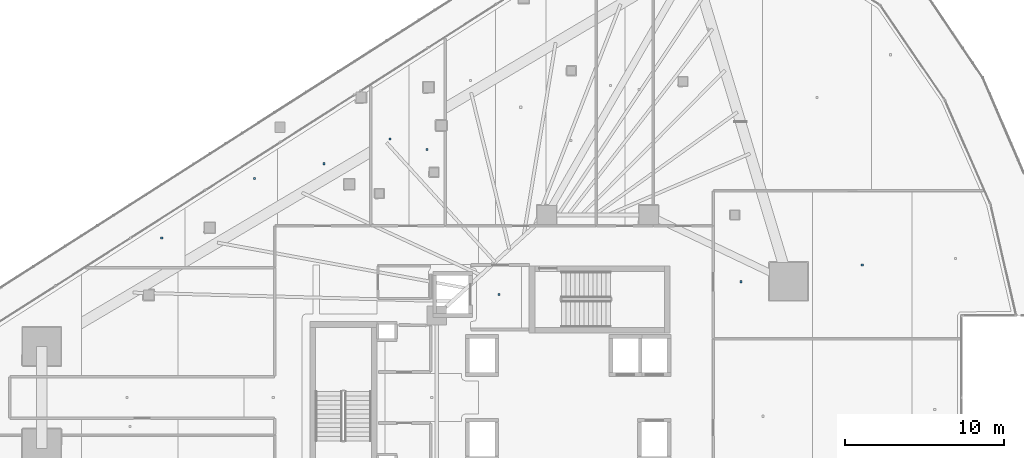
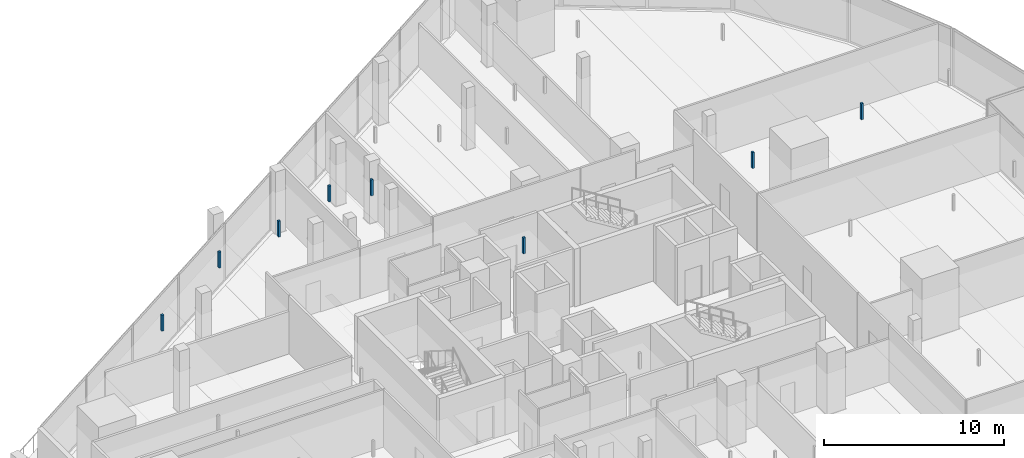
# One storey, part 35 of 46: 8 discrete accessories.
"""IFC4 building model written with IfcOpenShell, lengths in metres."""

from ifc_helpers import new_model, si_unit, direction, frame, origin, origin_2d, place, context, subcontext, project, spatial, rectangle, extrude, material, type_object, element, save


model = new_model("IFC4")

# Units and contexts
model_context = context("Model", 3, precision=1e-05, world=origin(), true_north=direction((0.0, 1.0)))
body_context = subcontext(model_context, "Body", "Model", "MODEL_VIEW")
ifc_project = project(units=[si_unit("LENGTHUNIT", "METRE"), si_unit("AREAUNIT", "SQUARE_METRE"), si_unit("VOLUMEUNIT", "CUBIC_METRE"), si_unit("PLANEANGLEUNIT", "RADIAN"), si_unit("MASSUNIT", "GRAM", prefix="KILO")], contexts=[model_context])

# Site, building, storey
site_placement = place(None, origin())
site = spatial("IfcSite", under=ifc_project, at=site_placement, CompositionType="ELEMENT")
building_placement = place(site_placement, origin())
building = spatial("IfcBuilding", under=site, at=building_placement, Name="Qorvath Tower", CompositionType="ELEMENT")
storey_placement = place(building_placement, frame((0.0, 0.0, 87.0)))
storey = spatial("IfcBuildingStorey", under=building, at=storey_placement, Name="L19", CompositionType="ELEMENT", Elevation=87.0)

# Discrete accessories
ifc_material = material(Name="Galvanised steel bracket", Category="steel")
discrete_accessory_type = type_object("IfcDiscreteAccessoryType", Name="DA-BRACKET", PredefinedType="BRACKET", material=ifc_material)
for number, where, z_axis, x_axis, name in (
    (1, (-26.590087890625, 6.449951171875, 2.860107421875), (0.0, 0.0, 1.0), (1.0, 0.0, 0.0), "Acoustic Ceiling Suspension Hanger T1-L19-001"),
    (2, (-33.4375, 16.2138671875, 2.860107421875), (0.0, 0.0, 1.0), (1.0, 0.0, 0.0), "Acoustic Ceiling Suspension Hanger T1-L19-010"),
    (3, (-31.10693359375, 15.55810546875, 2.860107421875), (0.0, 0.0, 1.0), (1.0, 0.0, 0.0), "Acoustic Ceiling Suspension Hanger T1-L19-011"),
    (4, (-11.4091796875, 7.255126953125, 2.860107421875), (0.0, 0.0, 1.0), (1.0, 0.0, 0.0), "Acoustic Ceiling Suspension Hanger T1-L19-034"),
    (5, (-3.798095703125, 8.316162109375, 2.860107421875), (0.0, 0.0, 1.0), (1.0, 0.0, 0.0), "Acoustic Ceiling Suspension Hanger T1-L19-035"),
    (6, (-47.7578125, 10.007080078125, 2.860107421875), (0.0, 0.0, 1.0), (1.0, 0.0, 0.0), "Acoustic Ceiling Suspension Hanger T1-L19-045"),
    (7, (-41.93798828125, 13.726806640625, 2.860107421875), (0.0, 0.0, 1.0), (1.0, 0.0, 0.0), "Acoustic Ceiling Suspension Hanger T1-L19-046"),
    (8, (-37.572998046875, 14.66748046875, 2.860107421875), (0.0, 0.0, 1.0), (1.0, 0.0, 0.0), "Acoustic Ceiling Suspension Hanger T1-L19-047"),
):
    element("IfcDiscreteAccessory", number, at=place(storey_placement, frame(where, z_axis=z_axis, x_axis=x_axis)), inside=storey, type_object=discrete_accessory_type, Name=name, PredefinedType="NOTDEFINED", context=body_context, shape_type="SweptSolid", body=[
        extrude(rectangle(XDim=0.139892578125, YDim=0.139892578125, at=origin_2d()), origin(), (0.0, 0.0, 1.0), 1.08984375),
    ])

save(model, "model.ifc")
